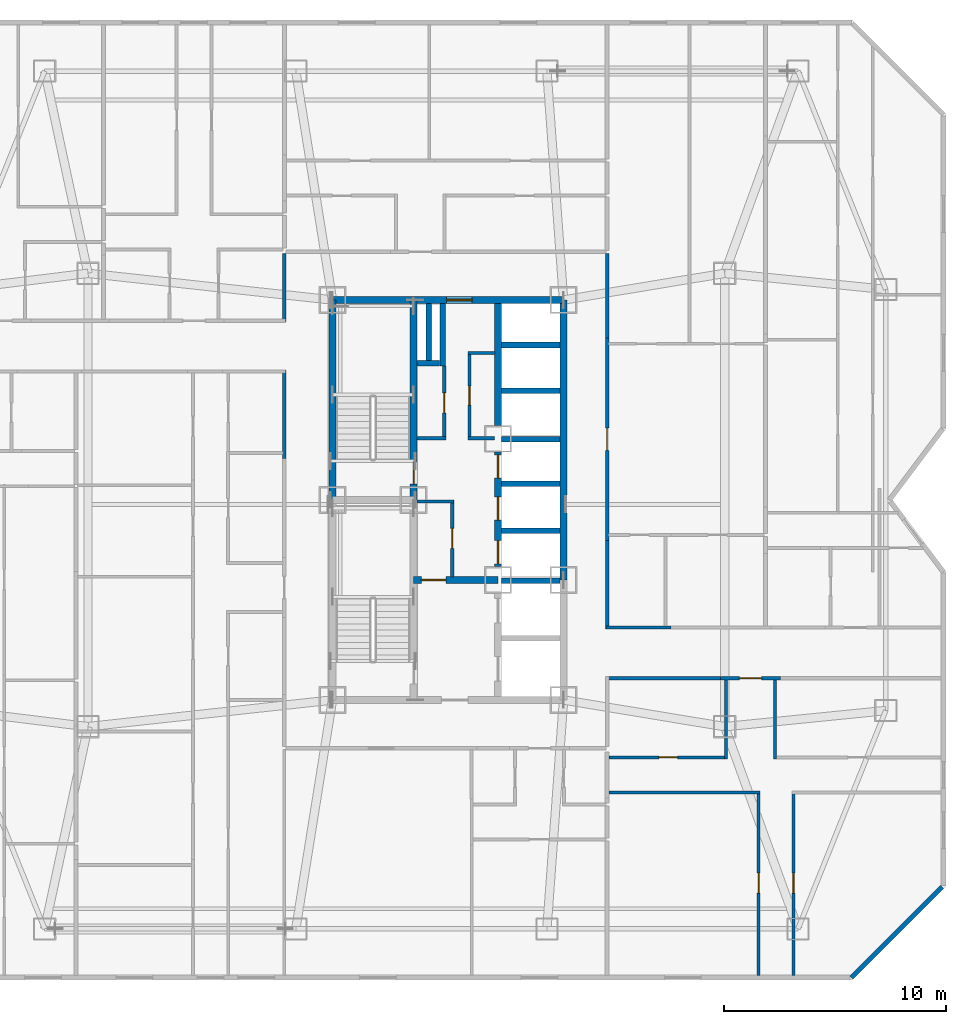
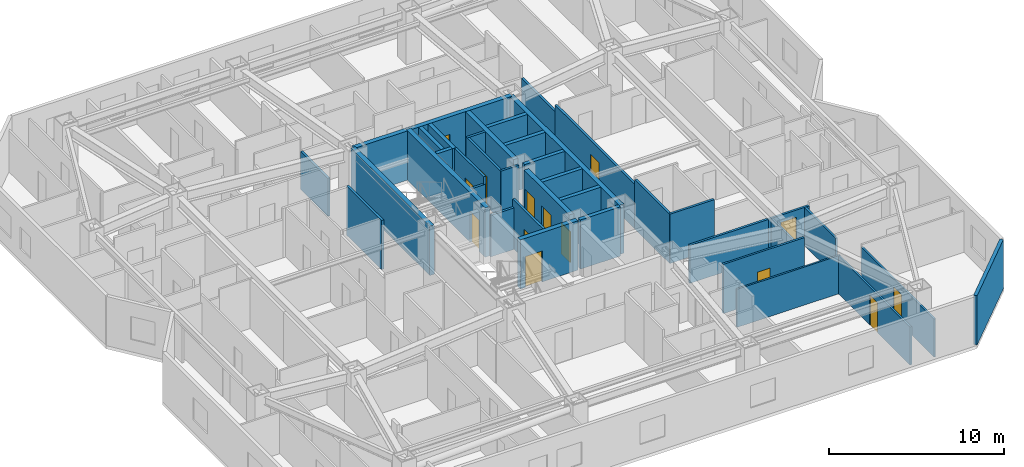
# One storey, part 8 of 12: 38 walls, 14 doors, 14 openings.
"""IFC4 building model written with IfcOpenShell, lengths in metres."""

from ifc_helpers import new_model, si_unit, direction, frame, frame_2d, origin, place, context, subcontext, project, spatial, rectangle, extrude, material, layer, layer_set, type_object, element, fill, save


model = new_model("IFC4")

# Units and contexts
model_context = context("Model", 3, precision=1e-05, world=origin(), true_north=direction((0.0, 1.0)))
body_context = subcontext(model_context, "Body", "Model", "MODEL_VIEW")
ifc_project = project(units=[si_unit("LENGTHUNIT", "METRE"), si_unit("AREAUNIT", "SQUARE_METRE"), si_unit("VOLUMEUNIT", "CUBIC_METRE"), si_unit("PLANEANGLEUNIT", "RADIAN"), si_unit("MASSUNIT", "GRAM", prefix="KILO")], contexts=[model_context])

# Site, building, storey
site_placement = place(None, origin())
site = spatial("IfcSite", under=ifc_project, at=site_placement, CompositionType="ELEMENT")
building_placement = place(site_placement, origin())
building = spatial("IfcBuilding", under=site, at=building_placement, Name="Khamvora Tower", CompositionType="ELEMENT")
storey_placement = place(building_placement, frame((0.0, 0.0, 127.449951171875)))
storey = spatial("IfcBuildingStorey", under=building, at=storey_placement, Name="L32", CompositionType="ELEMENT", Elevation=127.449951171875)

# Wall
ifc_material_1 = material(Name="Concrete C50/60", Category="concrete")
ifc_layer_1 = layer(ifc_material_1, 0.300048828125)
ifc_layer_set_1 = layer_set([ifc_layer_1], Name="Concrete C50/60")
wall_type_1 = type_object("IfcWallType", Name="WAL-CORE-300", PredefinedType="SHEAR", material=ifc_layer_set_1)
wall_1_placement = place(storey_placement, frame((29.0, 28.0, 0.0), z_axis=(0.0, 0.0, 1.0), x_axis=(0.0, 1.0, 0.0)))
element("IfcWall", 1, at=wall_1_placement, inside=storey, type_object=wall_type_1, Name="L32 central core west north wall", PredefinedType="SHEAR", context=body_context, shape_type="SweptSolid", body=[
    extrude(rectangle(XDim=9.0, YDim=0.300048828125, at=frame_2d((4.5, 0.0))), origin(), (0.0, 0.0, 1.0), 3.429931640625),
])

# Wall, opening, door
wall_2_placement = place(storey_placement, frame((29.0, 37.0, 0.0), z_axis=(0.0, 0.0, 1.0), x_axis=(1.0, 0.0, 0.0)))
wall_2 = element("IfcWall", 2, at=wall_2_placement, inside=storey, type_object=wall_type_1, Name="L32 central core north wall", PredefinedType="SHEAR", context=body_context, shape_type="SweptSolid", body=[
    extrude(rectangle(XDim=10.39990234375, YDim=0.300048828125, at=frame_2d((5.199951171875, 0.0))), origin(), (0.0, 0.0, 1.0), 3.429931640625),
])
opening_1_placement = place(wall_2_placement, frame((5.139892578125, 0.0, 0.0)))
opening_1 = element("IfcOpeningElement", 3, at=opening_1_placement, cuts=wall_2, Name="Opening D-SC1", PredefinedType="OPENING", context=body_context, shape_type="SweptSolid", body=[
    extrude(rectangle(XDim=1.14990234375, YDim=2.199951171875, at=frame_2d((0.574951171875, 1.10009765625))), frame((0.0, 0.159912109375, 0.0), z_axis=(0.0, -1.0, 0.0), x_axis=(1.0, 0.0, 0.0)), (0.0, 0.0, 1.0), 0.320068359375),
])
ifc_material_2 = material(Name="Powder-Coated Steel and Hardwood Leaf", Category="steel")
door_type_1 = type_object("IfcDoorType", Name="DOR-SCHL-1150", OperationType="NOTDEFINED", PredefinedType="DOOR", material=ifc_material_2)
door_1_placement = place(opening_1_placement, origin())
door_1 = element("IfcDoor", 4, at=door_1_placement, inside=storey, type_object=door_type_1, Name="L32 north core lobby to corridor fire door", OperationType="SINGLE_SWING_LEFT", OverallHeight=2.199951171875, OverallWidth=1.14990234375, PredefinedType="DOOR", context=body_context, shape_type="SweptSolid", body=[
    extrude(rectangle(XDim=1.14990234375, YDim=2.199951171875, at=frame_2d((0.574951171875, 1.10009765625))), frame((0.0, 0.02490234375, 0.0), z_axis=(0.0, -1.0, 0.0), x_axis=(1.0, 0.0, 0.0)), (0.0, 0.0, 1.0), 0.050048828125),
])
fill(opening_1, door_1)

# Wall
wall_3_placement = place(storey_placement, frame((39.39990234375, 24.39990234375, 0.0), z_axis=(0.0, 0.0, 1.0), x_axis=(0.0, 1.0, 0.0)))
element("IfcWall", 5, at=wall_3_placement, inside=storey, type_object=wall_type_1, Name="L32 central core east north wall", PredefinedType="SHEAR", context=body_context, shape_type="SweptSolid", body=[
    extrude(rectangle(XDim=12.60009765625, YDim=0.300048828125, at=frame_2d((6.300048828125, 0.0))), origin(), (0.0, 0.0, 1.0), 3.429931640625),
])

# Wall, opening, door
wall_4_placement = place(storey_placement, frame((32.64990234375, 28.0, 0.0), z_axis=(0.0, 0.0, 1.0), x_axis=(0.0, 1.0, 0.0)))
wall_4 = element("IfcWall", 6, at=wall_4_placement, inside=storey, type_object=wall_type_1, Name="L32 central core stair north spine wall", PredefinedType="SHEAR", context=body_context, shape_type="SweptSolid", body=[
    extrude(rectangle(XDim=9.0, YDim=0.300048828125, at=frame_2d((4.5, 0.0))), origin(), (0.0, 0.0, 1.0), 3.429931640625),
])
opening_2_placement = place(wall_4_placement, frame((0.719970703125, 0.0, 0.0)))
opening_2 = element("IfcOpeningElement", 7, at=opening_2_placement, cuts=wall_4, Name="Opening D-ST1", PredefinedType="OPENING", context=body_context, shape_type="SweptSolid", body=[
    extrude(rectangle(XDim=1.0, YDim=2.14990234375, at=frame_2d((0.5, 1.074951171875))), frame((0.0, 0.159912109375, 0.0), z_axis=(0.0, -1.0, 0.0), x_axis=(1.0, 0.0, 0.0)), (0.0, 0.0, 1.0), 0.320068359375),
])
door_type_2 = type_object("IfcDoorType", Name="DOR-STAIR-1000", OperationType="NOTDEFINED", PredefinedType="DOOR", material=ifc_material_2)
door_2_placement = place(opening_2_placement, origin())
door_2 = element("IfcDoor", 8, at=door_2_placement, inside=storey, type_object=door_type_2, Name="L32 exit stair ST-02 fire door", OperationType="SINGLE_SWING_RIGHT", OverallHeight=2.14990234375, OverallWidth=1.0, PredefinedType="DOOR", context=body_context, shape_type="SweptSolid", body=[
    extrude(rectangle(XDim=1.0, YDim=2.14990234375, at=frame_2d((0.5, 1.074951171875))), frame((0.0, 0.02490234375, 0.0), z_axis=(0.0, -1.0, 0.0), x_axis=(1.0, 0.0, 0.0)), (0.0, 0.0, 1.0), 0.050048828125),
])
fill(opening_2, door_2)

wall_5_placement = place(storey_placement, frame((32.64990234375, 24.39990234375, 0.0), z_axis=(0.0, 0.0, 1.0), x_axis=(1.0, 0.0, 0.0)))
wall_5 = element("IfcWall", 9, at=wall_5_placement, inside=storey, type_object=wall_type_1, Name="L32 central core firefighting lobby north wall", PredefinedType="SHEAR", context=body_context, shape_type="SweptSolid", body=[
    extrude(rectangle(XDim=3.800048828125, YDim=0.300048828125, at=frame_2d((1.89990234375, 0.0))), origin(), (0.0, 0.0, 1.0), 3.429931640625),
])
opening_3_placement = place(wall_5_placement, frame((0.35009765625, 0.0, 0.0)))
opening_3 = element("IfcOpeningElement", 10, at=opening_3_placement, cuts=wall_5, Name="Opening D-FF1", PredefinedType="OPENING", context=body_context, shape_type="SweptSolid", body=[
    extrude(rectangle(XDim=1.10009765625, YDim=2.14990234375, at=frame_2d((0.550048828125, 1.074951171875))), frame((0.0, 0.159912109375, 0.0), z_axis=(0.0, -1.0, 0.0), x_axis=(1.0, 0.0, 0.0)), (0.0, 0.0, 1.0), 0.320068359375),
])
door_type_3 = type_object("IfcDoorType", Name="DOR-FFLOB-1100", OperationType="NOTDEFINED", PredefinedType="DOOR", material=ifc_material_2)
door_3_placement = place(opening_3_placement, origin())
door_3 = element("IfcDoor", 11, at=door_3_placement, inside=storey, type_object=door_type_3, Name="L32 firefighting lobby smoke-seal fire door", OperationType="SINGLE_SWING_LEFT", OverallHeight=2.14990234375, OverallWidth=1.10009765625, PredefinedType="DOOR", context=body_context, shape_type="SweptSolid", body=[
    extrude(rectangle(XDim=1.10009765625, YDim=2.14990234375, at=frame_2d((0.550048828125, 1.074951171875))), frame((0.0, 0.02490234375, 0.0), z_axis=(0.0, -1.0, 0.0), x_axis=(1.0, 0.0, 0.0)), (0.0, 0.0, 1.0), 0.050048828125),
])
fill(opening_3, door_3)

# Wall, openings, doors
wall_6_placement = place(storey_placement, frame((36.449951171875, 25.0, 0.0), z_axis=(0.0, 0.0, 1.0), x_axis=(0.0, 1.0, 0.0)))
wall_6 = element("IfcWall", 12, at=wall_6_placement, inside=storey, type_object=wall_type_1, Name="L32 central core lift bank central wall", PredefinedType="SHEAR", context=body_context, shape_type="SweptSolid", body=[
    extrude(rectangle(XDim=5.14990234375, YDim=0.300048828125, at=frame_2d((2.574951171875, 0.0))), origin(), (0.0, 0.0, 1.0), 3.429931640625),
])
opening_4_placement = place(wall_6_placement, frame((0.1201171875, 0.0, 0.0)))
opening_4 = element("IfcOpeningElement", 13, at=opening_4_placement, cuts=wall_6, Name="Opening LD-PL", PredefinedType="OPENING", context=body_context, shape_type="SweptSolid", body=[
    extrude(rectangle(XDim=1.050048828125, YDim=2.14990234375, at=frame_2d((0.52490234375, 1.074951171875))), frame((0.0, 0.159912109375, 0.0), z_axis=(0.0, -1.0, 0.0), x_axis=(1.0, 0.0, 0.0)), (0.0, 0.0, 1.0), 0.320068359375),
])
opening_5_placement = place(wall_6_placement, frame((2.094970703125, 0.0, 0.0)))
opening_5 = element("IfcOpeningElement", 14, at=opening_5_placement, cuts=wall_6, Name="Opening LD-PL", PredefinedType="OPENING", context=body_context, shape_type="SweptSolid", body=[
    extrude(rectangle(XDim=1.050048828125, YDim=2.14990234375, at=frame_2d((0.52490234375, 1.074951171875))), frame((0.0, 0.159912109375, 0.0), z_axis=(0.0, -1.0, 0.0), x_axis=(1.0, 0.0, 0.0)), (0.0, 0.0, 1.0), 0.320068359375),
])
opening_6_placement = place(wall_6_placement, frame((3.97998046875, 0.0, 0.0)))
opening_6 = element("IfcOpeningElement", 15, at=opening_6_placement, cuts=wall_6, Name="Opening LD-PL", PredefinedType="OPENING", context=body_context, shape_type="SweptSolid", body=[
    extrude(rectangle(XDim=1.050048828125, YDim=2.14990234375, at=frame_2d((0.52490234375, 1.074951171875))), frame((0.0, 0.159912109375, 0.0), z_axis=(0.0, -1.0, 0.0), x_axis=(1.0, 0.0, 0.0)), (0.0, 0.0, 1.0), 0.320068359375),
])
door_type_4 = type_object("IfcDoorType", Name="DOR-LIFT-1050", OperationType="SLIDING_TO_LEFT", PredefinedType="DOOR", material=ifc_material_2)
door_4_placement = place(opening_4_placement, origin())
door_4 = element("IfcDoor", 16, at=door_4_placement, inside=storey, type_object=door_type_4, Name="L32 lift landing sliding door PL-01", OperationType="SLIDING_TO_LEFT", OverallHeight=2.14990234375, OverallWidth=1.050048828125, PredefinedType="DOOR", context=body_context, shape_type="SweptSolid", body=[
    extrude(rectangle(XDim=1.050048828125, YDim=2.14990234375, at=frame_2d((0.52490234375, 1.074951171875))), frame((0.0, 0.02490234375, 0.0), z_axis=(0.0, -1.0, 0.0), x_axis=(1.0, 0.0, 0.0)), (0.0, 0.0, 1.0), 0.050048828125),
])
fill(opening_4, door_4)
door_5_placement = place(opening_5_placement, origin())
door_5 = element("IfcDoor", 17, at=door_5_placement, inside=storey, type_object=door_type_4, Name="L32 lift landing sliding door PL-02", OperationType="SLIDING_TO_LEFT", OverallHeight=2.14990234375, OverallWidth=1.050048828125, PredefinedType="DOOR", context=body_context, shape_type="SweptSolid", body=[
    extrude(rectangle(XDim=1.050048828125, YDim=2.14990234375, at=frame_2d((0.52490234375, 1.074951171875))), frame((0.0, 0.02490234375, 0.0), z_axis=(0.0, -1.0, 0.0), x_axis=(1.0, 0.0, 0.0)), (0.0, 0.0, 1.0), 0.050048828125),
])
fill(opening_5, door_5)
door_6_placement = place(opening_6_placement, origin())
door_6 = element("IfcDoor", 18, at=door_6_placement, inside=storey, type_object=door_type_4, Name="L32 lift landing sliding door PL-03", OperationType="SLIDING_TO_LEFT", OverallHeight=2.14990234375, OverallWidth=1.050048828125, PredefinedType="DOOR", context=body_context, shape_type="SweptSolid", body=[
    extrude(rectangle(XDim=1.050048828125, YDim=2.14990234375, at=frame_2d((0.52490234375, 1.074951171875))), frame((0.0, 0.02490234375, 0.0), z_axis=(0.0, -1.0, 0.0), x_axis=(1.0, 0.0, 0.0)), (0.0, 0.0, 1.0), 0.050048828125),
])
fill(opening_6, door_6)

# Walls
wall_7_placement = place(storey_placement, frame((36.449951171875, 31.35009765625, 0.0), z_axis=(0.0, 0.0, 1.0), x_axis=(0.0, 1.0, 0.0)))
element("IfcWall", 19, at=wall_7_placement, inside=storey, type_object=wall_type_1, Name="L32 central core lift bank north wall", PredefinedType="SHEAR", context=body_context, shape_type="SweptSolid", body=[
    extrude(rectangle(XDim=5.495849609375, YDim=0.300048828125, at=frame_2d((2.748046875, 0.0))), origin(), (0.0, 0.0, 1.0), 3.429931640625),
])
ifc_material_3 = material(Name="Fire-Rated Drywall and Steel Stud", Category="steel")
ifc_layer_2 = layer(ifc_material_3, 0.14990234375)
ifc_layer_set_2 = layer_set([ifc_layer_2], Name="Fire-Rated Drywall and Steel Stud")
wall_type_2 = type_object("IfcWallType", Name="WAL-CORR-150", PredefinedType="STANDARD", material=ifc_layer_set_2)
wall_8_placement = place(storey_placement, frame((36.305908203125, 34.614990234375, 0.0), z_axis=(0.0, 0.0, 1.0), x_axis=(-1.0, 0.0, 0.0)))
element("IfcWall", 20, at=wall_8_placement, inside=storey, type_object=wall_type_2, Name="L32 interior partition wall 001", PredefinedType="STANDARD", context=body_context, shape_type="SweptSolid", body=[
    extrude(rectangle(XDim=1.205810546875, YDim=0.14990234375, at=frame_2d((0.60302734375, 0.0))), origin(), (0.0, 0.0, 1.0), 3.429931640625),
])

# Wall, opening, door
wall_9_placement = place(storey_placement, frame((35.1650390625, 34.677978515625, 0.0), z_axis=(0.0, 0.0, 1.0), x_axis=(0.0, -1.0, 0.0)))
wall_9 = element("IfcWall", 21, at=wall_9_placement, inside=storey, type_object=wall_type_2, Name="L32 interior partition wall 002", PredefinedType="STANDARD", context=body_context, shape_type="SweptSolid", body=[
    extrude(rectangle(XDim=3.9580078125, YDim=0.14990234375, at=frame_2d((1.97900390625, 0.0))), origin(), (0.0, 0.0, 1.0), 3.429931640625),
])
opening_7_placement = place(wall_9_placement, frame((1.553955078125, 0.0, 0.0)))
opening_7 = element("IfcOpeningElement", 22, at=opening_7_placement, cuts=wall_9, Name="Opening D-WC1", PredefinedType="OPENING", context=body_context, shape_type="SweptSolid", body=[
    extrude(rectangle(XDim=0.85009765625, YDim=2.10009765625, at=frame_2d((0.425048828125, 1.050048828125))), frame((0.0, 0.0849609375, 0.0), z_axis=(0.0, -1.0, 0.0), x_axis=(1.0, 0.0, 0.0)), (0.0, 0.0, 1.0), 0.169921875),
])
door_type_5 = type_object("IfcDoorType", Name="DOR-WET-850", OperationType="NOTDEFINED", PredefinedType="DOOR", material=ifc_material_2)
door_7_placement = place(opening_7_placement, origin())
door_7 = element("IfcDoor", 23, at=door_7_placement, inside=storey, type_object=door_type_5, Name="L32 interior door PLL-CS1", OperationType="SINGLE_SWING_RIGHT", OverallHeight=2.10009765625, OverallWidth=0.85009765625, PredefinedType="DOOR", context=body_context, shape_type="SweptSolid", body=[
    extrude(rectangle(XDim=0.85009765625, YDim=2.10009765625, at=frame_2d((0.425048828125, 1.050048828125))), frame((0.0, 0.02490234375, 0.0), z_axis=(0.0, -1.0, 0.0), x_axis=(1.0, 0.0, 0.0)), (0.0, 0.0, 1.0), 0.050048828125),
])
fill(opening_7, door_7)

# Walls
wall_10_placement = place(storey_placement, frame((35.10205078125, 30.784912109375, 0.0), z_axis=(0.0, 0.0, 1.0), x_axis=(1.0, 0.0, 0.0)))
element("IfcWall", 24, at=wall_10_placement, inside=storey, type_object=wall_type_2, Name="L32 interior partition wall 003", PredefinedType="STANDARD", context=body_context, shape_type="SweptSolid", body=[
    extrude(rectangle(XDim=1.197998046875, YDim=0.14990234375, at=frame_2d((0.59912109375, 0.0))), origin(), (0.0, 0.0, 1.0), 3.429931640625),
])
wall_11_placement = place(storey_placement, frame((32.7939453125, 30.784912109375, 0.0), z_axis=(0.0, 0.0, 1.0), x_axis=(1.0, 0.0, 0.0)))
element("IfcWall", 25, at=wall_11_placement, inside=storey, type_object=wall_type_2, Name="L32 interior partition wall 004", PredefinedType="STANDARD", context=body_context, shape_type="SweptSolid", body=[
    extrude(rectangle(XDim=1.30615234375, YDim=0.14990234375, at=frame_2d((0.653076171875, 0.0))), origin(), (0.0, 0.0, 1.0), 2.886962890625),
])

# Wall, opening, door
wall_12_placement = place(storey_placement, frame((34.034912109375, 30.719970703125, 0.0), z_axis=(0.0, 0.0, 1.0), x_axis=(0.0, 1.0, 0.0)))
wall_12 = element("IfcWall", 26, at=wall_12_placement, inside=storey, type_object=wall_type_2, Name="L32 interior partition wall 005", PredefinedType="STANDARD", context=body_context, shape_type="SweptSolid", body=[
    extrude(rectangle(XDim=3.300048828125, YDim=0.14990234375, at=frame_2d((1.64990234375, 0.0))), origin(), (0.0, 0.0, 1.0), 3.429931640625),
])
opening_8_placement = place(wall_12_placement, frame((1.199951171875, 0.0, 0.0)))
opening_8 = element("IfcOpeningElement", 27, at=opening_8_placement, cuts=wall_12, Name="Opening D-RM1", PredefinedType="OPENING", context=body_context, shape_type="SweptSolid", body=[
    extrude(rectangle(XDim=0.89990234375, YDim=2.10009765625, at=frame_2d((0.449951171875, 1.050048828125))), frame((0.0, 0.0849609375, 0.0), z_axis=(0.0, -1.0, 0.0), x_axis=(1.0, 0.0, 0.0)), (0.0, 0.0, 1.0), 0.169921875),
])
door_type_6 = type_object("IfcDoorType", Name="DOR-ROOM-900", OperationType="NOTDEFINED", PredefinedType="DOOR", material=ifc_material_2)
door_8_placement = place(opening_8_placement, origin())
door_8 = element("IfcDoor", 28, at=door_8_placement, inside=storey, type_object=door_type_6, Name="L32 interior door PLL-CS2", OperationType="SINGLE_SWING_LEFT", OverallHeight=2.10009765625, OverallWidth=0.89990234375, PredefinedType="DOOR", context=body_context, shape_type="SweptSolid", body=[
    extrude(rectangle(XDim=0.89990234375, YDim=2.10009765625, at=frame_2d((0.449951171875, 1.050048828125))), frame((0.0, 0.02490234375, 0.0), z_axis=(0.0, -1.0, 0.0), x_axis=(1.0, 0.0, 0.0)), (0.0, 0.0, 1.0), 0.050048828125),
])
fill(opening_8, door_8)

wall_13_placement = place(storey_placement, frame((34.385009765625, 24.5439453125, 0.0), z_axis=(0.0, 0.0, 1.0), x_axis=(0.0, 1.0, 0.0)))
wall_13 = element("IfcWall", 29, at=wall_13_placement, inside=storey, type_object=wall_type_2, Name="L32 interior partition wall 006", PredefinedType="STANDARD", context=body_context, shape_type="SweptSolid", body=[
    extrude(rectangle(XDim=3.4560546875, YDim=0.14990234375, at=frame_2d((1.72802734375, 0.0))), origin(), (0.0, 0.0, 1.0), 3.429931640625),
])
opening_9_placement = place(wall_13_placement, frame((1.278076171875, 0.0, 0.0)))
opening_9 = element("IfcOpeningElement", 30, at=opening_9_placement, cuts=wall_13, Name="Opening D-RM1", PredefinedType="OPENING", context=body_context, shape_type="SweptSolid", body=[
    extrude(rectangle(XDim=0.89990234375, YDim=2.10009765625, at=frame_2d((0.449951171875, 1.050048828125))), frame((0.0, 0.0849609375, 0.0), z_axis=(0.0, -1.0, 0.0), x_axis=(1.0, 0.0, 0.0)), (0.0, 0.0, 1.0), 0.169921875),
])
door_9_placement = place(opening_9_placement, origin())
door_9 = element("IfcDoor", 31, at=door_9_placement, inside=storey, type_object=door_type_6, Name="L32 interior door PLL-CS3", OperationType="SINGLE_SWING_RIGHT", OverallHeight=2.10009765625, OverallWidth=0.89990234375, PredefinedType="DOOR", context=body_context, shape_type="SweptSolid", body=[
    extrude(rectangle(XDim=0.89990234375, YDim=2.10009765625, at=frame_2d((0.449951171875, 1.050048828125))), frame((0.0, 0.02490234375, 0.0), z_axis=(0.0, -1.0, 0.0), x_axis=(1.0, 0.0, 0.0)), (0.0, 0.0, 1.0), 0.050048828125),
])
fill(opening_9, door_9)

# Walls
wall_14_placement = place(storey_placement, frame((34.449951171875, 27.93505859375, 0.0), z_axis=(0.0, 0.0, 1.0), x_axis=(-1.0, 0.0, 0.0)))
element("IfcWall", 32, at=wall_14_placement, inside=storey, type_object=wall_type_2, Name="L32 interior partition wall 007", PredefinedType="STANDARD", context=body_context, shape_type="SweptSolid", body=[
    extrude(rectangle(XDim=1.656005859375, YDim=0.14990234375, at=frame_2d((0.828125, 0.0))), origin(), (0.0, 0.0, 1.0), 2.886962890625),
])
wall_15_placement = place(storey_placement, frame((26.8349609375, 29.875, 0.0), z_axis=(0.0, 0.0, 1.0), x_axis=(0.0, 1.0, 0.0)))
element("IfcWall", 33, at=wall_15_placement, inside=storey, type_object=wall_type_2, Name="L32 interior partition wall 013", PredefinedType="STANDARD", context=body_context, shape_type="SweptSolid", body=[
    extrude(rectangle(XDim=3.97509765625, YDim=0.14990234375, at=frame_2d((1.987548828125, 0.0))), origin(), (0.0, 0.0, 1.0), 3.429931640625),
])
wall_16_placement = place(storey_placement, frame((26.8349609375, 36.0, 0.0), z_axis=(0.0, 0.0, 1.0), x_axis=(0.0, 1.0, 0.0)))
element("IfcWall", 34, at=wall_16_placement, inside=storey, type_object=wall_type_2, Name="L32 interior partition wall 025", PredefinedType="STANDARD", context=body_context, shape_type="SweptSolid", body=[
    extrude(rectangle(XDim=3.10009765625, YDim=0.14990234375, at=frame_2d((1.550048828125, 0.0))), origin(), (0.0, 0.0, 1.0), 2.64697265625),
])

# Wall, opening, door
wall_17_placement = place(storey_placement, frame((49.158935546875, 19.985107421875, 0.0), z_axis=(0.0, 0.0, 1.0), x_axis=(-1.0, 0.0, 0.0)))
wall_17 = element("IfcWall", 35, at=wall_17_placement, inside=storey, type_object=wall_type_2, Name="L32 interior partition wall 033", PredefinedType="STANDARD", context=body_context, shape_type="SweptSolid", body=[
    extrude(rectangle(XDim=2.697998046875, YDim=0.14990234375, at=frame_2d((1.34912109375, 0.0))), origin(), (0.0, 0.0, 1.0), 2.64697265625),
])
opening_10_placement = place(wall_17_placement, frame((0.84912109375, 0.0, 0.0)))
opening_10 = element("IfcOpeningElement", 36, at=opening_10_placement, cuts=wall_17, Name="Opening D-U1", PredefinedType="OPENING", context=body_context, shape_type="SweptSolid", body=[
    extrude(rectangle(XDim=1.0, YDim=2.14990234375, at=frame_2d((0.5, 1.074951171875))), frame((0.0, 0.0849609375, 0.0), z_axis=(0.0, -1.0, 0.0), x_axis=(1.0, 0.0, 0.0)), (0.0, 0.0, 1.0), 0.169921875),
])
door_type_7 = type_object("IfcDoorType", Name="DOR-UNIT-1000", OperationType="NOTDEFINED", PredefinedType="DOOR", material=ifc_material_2)
door_10_placement = place(opening_10_placement, origin())
door_10 = element("IfcDoor", 37, at=door_10_placement, inside=storey, type_object=door_type_7, Name="L32 interior door COR-32EAH", OperationType="SINGLE_SWING_RIGHT", OverallHeight=2.14990234375, OverallWidth=1.0, PredefinedType="DOOR", context=body_context, shape_type="SweptSolid", body=[
    extrude(rectangle(XDim=1.0, YDim=2.14990234375, at=frame_2d((0.5, 1.074951171875))), frame((0.0, 0.02490234375, 0.0), z_axis=(0.0, -1.0, 0.0), x_axis=(1.0, 0.0, 0.0)), (0.0, 0.0, 1.0), 0.050048828125),
])
fill(opening_10, door_10)

# Wall
wall_18_placement = place(storey_placement, frame((46.4609375, 19.985107421875, 0.0), z_axis=(0.0, 0.0, 1.0), x_axis=(-1.0, 0.0, 0.0)))
element("IfcWall", 38, at=wall_18_placement, inside=storey, type_object=wall_type_2, Name="L32 interior partition wall 034", PredefinedType="STANDARD", context=body_context, shape_type="SweptSolid", body=[
    extrude(rectangle(XDim=5.160888671875, YDim=0.14990234375, at=frame_2d((2.58056640625, 0.0))), origin(), (0.0, 0.0, 1.0), 2.64697265625),
])

# Wall, opening, door
wall_19_placement = place(storey_placement, frame((41.364990234375, 35.279052734375, 0.0), z_axis=(0.0, 0.0, 1.0), x_axis=(0.0, -1.0, 0.0)))
wall_19 = element("IfcWall", 39, at=wall_19_placement, inside=storey, type_object=wall_type_2, Name="L32 interior partition wall 037", PredefinedType="STANDARD", context=body_context, shape_type="SweptSolid", body=[
    extrude(rectangle(XDim=9.09814453125, YDim=0.14990234375, at=frame_2d((4.549072265625, 0.0))), origin(), (0.0, 0.0, 1.0), 3.10693359375),
])
opening_11_placement = place(wall_19_placement, frame((4.049072265625, 0.0, 0.0)))
opening_11 = element("IfcOpeningElement", 40, at=opening_11_placement, cuts=wall_19, Name="Opening D-U1", PredefinedType="OPENING", context=body_context, shape_type="SweptSolid", body=[
    extrude(rectangle(XDim=1.0, YDim=2.14990234375, at=frame_2d((0.5, 1.074951171875))), frame((0.0, 0.0849609375, 0.0), z_axis=(0.0, -1.0, 0.0), x_axis=(1.0, 0.0, 0.0)), (0.0, 0.0, 1.0), 0.169921875),
])
door_11_placement = place(opening_11_placement, origin())
door_11 = element("IfcDoor", 41, at=door_11_placement, inside=storey, type_object=door_type_7, Name="L32 interior door COR-32EBH", OperationType="SINGLE_SWING_LEFT", OverallHeight=2.14990234375, OverallWidth=1.0, PredefinedType="DOOR", context=body_context, shape_type="SweptSolid", body=[
    extrude(rectangle(XDim=1.0, YDim=2.14990234375, at=frame_2d((0.5, 1.074951171875))), frame((0.0, 0.02490234375, 0.0), z_axis=(0.0, -1.0, 0.0), x_axis=(1.0, 0.0, 0.0)), (0.0, 0.0, 1.0), 0.050048828125),
])
fill(opening_11, door_11)

# Walls
wall_20_placement = place(storey_placement, frame((41.364990234375, 26.180908203125, 0.0), z_axis=(0.0, 0.0, 1.0), x_axis=(0.0, -1.0, 0.0)))
element("IfcWall", 42, at=wall_20_placement, inside=storey, type_object=wall_type_2, Name="L32 interior partition wall 038", PredefinedType="STANDARD", context=body_context, shape_type="SweptSolid", body=[
    extrude(rectangle(XDim=3.98095703125, YDim=0.14990234375, at=frame_2d((1.990478515625, 0.0))), origin(), (0.0, 0.0, 1.0), 3.429931640625),
])
wall_21_placement = place(storey_placement, frame((41.300048828125, 22.264892578125, 0.0), z_axis=(0.0, 0.0, 1.0), x_axis=(1.0, 0.0, 0.0)))
element("IfcWall", 43, at=wall_21_placement, inside=storey, type_object=wall_type_2, Name="L32 interior partition wall 039", PredefinedType="STANDARD", context=body_context, shape_type="SweptSolid", body=[
    extrude(rectangle(XDim=2.928955078125, YDim=0.14990234375, at=frame_2d((1.46435546875, 0.0))), origin(), (0.0, 0.0, 1.0), 3.429931640625),
])
wall_22_placement = place(storey_placement, frame((41.364990234375, 39.10009765625, 0.0), z_axis=(0.0, 0.0, 1.0), x_axis=(0.0, -1.0, 0.0)))
element("IfcWall", 44, at=wall_22_placement, inside=storey, type_object=wall_type_2, Name="L32 interior partition wall 041", PredefinedType="STANDARD", context=body_context, shape_type="SweptSolid", body=[
    extrude(rectangle(XDim=3.821044921875, YDim=0.14990234375, at=frame_2d((1.91064453125, 0.0))), origin(), (0.0, 0.0, 1.0), 2.64697265625),
])
ifc_material_4 = material(Name="Precast concrete C40/50", Category="concrete")
ifc_layer_3 = layer(ifc_material_4, 0.219970703125)
ifc_layer_set_3 = layer_set([ifc_layer_3], Name="Precast concrete C40/50")
wall_type_3 = type_object("IfcWallType", Name="WAL-EXT-220", PredefinedType="STANDARD", material=ifc_layer_set_3)
wall_23_placement = place(storey_placement, frame((56.43994140625, 10.595947265625, 0.0), z_axis=(0.0, 0.0, 1.0), x_axis=(-0.707106781187, -0.707106781187, 0.0)))
element("IfcWall", 45, at=wall_23_placement, inside=storey, type_object=wall_type_3, Name="L32 exterior facade wall 13.1", PredefinedType="STANDARD", context=body_context, shape_type="SweptSolid", body=[
    extrude(rectangle(XDim=5.7783203125, YDim=0.219970703125, at=frame_2d((2.88916015625, 0.0))), origin(), (0.0, 0.0, 1.0), 3.429931640625),
])

# Wall, opening, door
ifc_material_5 = material(Name="Gypsum Plasterboard Partition", Category="gypsum")
ifc_layer_4 = layer(ifc_material_5, 0.1201171875)
ifc_layer_set_4 = layer_set([ifc_layer_4], Name="Gypsum Plasterboard Partition")
wall_type_4 = type_object("IfcWallType", Name="WAL-PART-120", PredefinedType="PARTITIONING", material=ifc_layer_set_4)
wall_24_placement = place(storey_placement, frame((48.175048828125, 6.612060546875, 0.0), z_axis=(0.0, 0.0, 1.0), x_axis=(0.0, 1.0, 0.0)))
wall_24 = element("IfcWall", 46, at=wall_24_placement, inside=storey, type_object=wall_type_4, Name="L32 interior partition wall 135", PredefinedType="PARTITIONING", context=body_context, shape_type="SweptSolid", body=[
    extrude(rectangle(XDim=8.2939453125, YDim=0.1201171875, at=frame_2d((4.14697265625, 0.0))), origin(), (0.0, 0.0, 1.0), 2.64697265625),
])
opening_12_placement = place(wall_24_placement, frame((3.697021484375, 0.0, 0.0)))
opening_12 = element("IfcOpeningElement", 47, at=opening_12_placement, cuts=wall_24, Name="Opening D-RM1", PredefinedType="OPENING", context=body_context, shape_type="SweptSolid", body=[
    extrude(rectangle(XDim=0.89990234375, YDim=2.10009765625, at=frame_2d((0.449951171875, 1.050048828125))), frame((0.0, 0.070068359375, 0.0), z_axis=(0.0, -1.0, 0.0), x_axis=(1.0, 0.0, 0.0)), (0.0, 0.0, 1.0), 0.14013671875),
])
door_12_placement = place(opening_12_placement, origin())
door_12 = element("IfcDoor", 48, at=door_12_placement, inside=storey, type_object=door_type_6, Name="L32 interior door 32EAH-32EAR1", OperationType="SINGLE_SWING_LEFT", OverallHeight=2.10009765625, OverallWidth=0.89990234375, PredefinedType="DOOR", context=body_context, shape_type="SweptSolid", body=[
    extrude(rectangle(XDim=0.89990234375, YDim=2.10009765625, at=frame_2d((0.449951171875, 1.050048828125))), frame((0.0, 0.02490234375, 0.0), z_axis=(0.0, -1.0, 0.0), x_axis=(1.0, 0.0, 0.0)), (0.0, 0.0, 1.0), 0.050048828125),
])
fill(opening_12, door_12)

# Wall
wall_25_placement = place(storey_placement, frame((48.239990234375, 14.841064453125, 0.0), z_axis=(0.0, 0.0, 1.0), x_axis=(-1.0, 0.0, 0.0)))
element("IfcWall", 49, at=wall_25_placement, inside=storey, type_object=wall_type_4, Name="L32 interior partition wall 136", PredefinedType="PARTITIONING", context=body_context, shape_type="SweptSolid", body=[
    extrude(rectangle(XDim=6.79296875, YDim=0.1201171875, at=frame_2d((3.396484375, 0.0))), origin(), (0.0, 0.0, 1.0), 2.64697265625),
])

# Wall, opening, door
wall_26_placement = place(storey_placement, frame((49.7451171875, 14.906005859375, 0.0), z_axis=(0.0, 0.0, 1.0), x_axis=(0.0, -1.0, 0.0)))
wall_26 = element("IfcWall", 50, at=wall_26_placement, inside=storey, type_object=wall_type_4, Name="L32 interior partition wall 138", PredefinedType="PARTITIONING", context=body_context, shape_type="SweptSolid", body=[
    extrude(rectangle(XDim=8.2939453125, YDim=0.1201171875, at=frame_2d((4.14697265625, 0.0))), origin(), (0.0, 0.0, 1.0), 2.64697265625),
])
opening_13_placement = place(wall_26_placement, frame((3.697021484375, 0.0, 0.0)))
opening_13 = element("IfcOpeningElement", 51, at=opening_13_placement, cuts=wall_26, Name="Opening D-RM1", PredefinedType="OPENING", context=body_context, shape_type="SweptSolid", body=[
    extrude(rectangle(XDim=0.89990234375, YDim=2.10009765625, at=frame_2d((0.449951171875, 1.050048828125))), frame((0.0, 0.070068359375, 0.0), z_axis=(0.0, -1.0, 0.0), x_axis=(1.0, 0.0, 0.0)), (0.0, 0.0, 1.0), 0.14013671875),
])
door_13_placement = place(opening_13_placement, origin())
door_13 = element("IfcDoor", 52, at=door_13_placement, inside=storey, type_object=door_type_6, Name="L32 interior door 32EAH-32EAR2", OperationType="SINGLE_SWING_RIGHT", OverallHeight=2.10009765625, OverallWidth=0.89990234375, PredefinedType="DOOR", context=body_context, shape_type="SweptSolid", body=[
    extrude(rectangle(XDim=0.89990234375, YDim=2.10009765625, at=frame_2d((0.449951171875, 1.050048828125))), frame((0.0, 0.02490234375, 0.0), z_axis=(0.0, -1.0, 0.0), x_axis=(1.0, 0.0, 0.0)), (0.0, 0.0, 1.0), 0.050048828125),
])
fill(opening_13, door_13)

# Walls
ifc_material_6 = material(Name="Concrete C40/50", Category="concrete")
ifc_layer_5 = layer(ifc_material_6, 0.25)
ifc_layer_set_5 = layer_set([ifc_layer_5], Name="Concrete C40/50")
wall_type_5 = type_object("IfcWallType", Name="WAL-PODS-250", PredefinedType="SHEAR", material=ifc_layer_set_5)
for number, where, z_axis, x_axis, name in (
    (53, (36.60400390625, 24.375, 0.0), (0.0, 0.0, 1.0), (1.0, 0.0, 0.0), "L32 lift shaft divider wall FFL-02"),
    (54, (36.60400390625, 26.625, 0.0), (0.0, 0.0, 1.0), (1.0, 0.0, 0.0), "L32 lift shaft divider wall PL-01"),
    (55, (36.60400390625, 28.72509765625, 0.0), (0.0, 0.0, 1.0), (1.0, 0.0, 0.0), "L32 lift shaft divider wall PL-02"),
    (56, (36.60400390625, 30.72509765625, 0.0), (0.0, 0.0, 1.0), (1.0, 0.0, 0.0), "L32 lift shaft divider wall PL-03"),
    (57, (36.60400390625, 32.925048828125, 0.0), (0.0, 0.0, 1.0), (1.0, 0.0, 0.0), "L32 lift shaft divider wall PH-01"),
    (58, (36.60400390625, 34.97509765625, 0.0), (0.0, 0.0, 1.0), (1.0, 0.0, 0.0), "L32 lift shaft divider wall PH-02"),
):
    element("IfcWall", number, at=place(storey_placement, frame(where, z_axis=z_axis, x_axis=x_axis)), inside=storey, type_object=wall_type_5, Name=name, PredefinedType="SHEAR", context=body_context, shape_type="SweptSolid", body=[
        extrude(rectangle(XDim=2.64208984375, YDim=0.25, at=frame_2d((1.321044921875, 0.0))), origin(), (0.0, 0.0, 1.0), 3.429931640625),
    ])
wall_27_placement = place(storey_placement, frame((33.955078125, 34.02490234375, 0.0), z_axis=(0.0, 0.0, 1.0), x_axis=(0.0, 1.0, 0.0)))
element("IfcWall", 59, at=wall_27_placement, inside=storey, type_object=wall_type_5, Name="L32 vertical MEP riser shaft east enclosure wall", PredefinedType="SHEAR", context=body_context, shape_type="SweptSolid", body=[
    extrude(rectangle(XDim=2.821044921875, YDim=0.25, at=frame_2d((1.41064453125, 0.0))), origin(), (0.0, 0.0, 1.0), 3.429931640625),
])
wall_28_placement = place(storey_placement, frame((32.803955078125, 34.14990234375, 0.0), z_axis=(0.0, 0.0, 1.0), x_axis=(1.0, 0.0, 0.0)))
element("IfcWall", 60, at=wall_28_placement, inside=storey, type_object=wall_type_5, Name="L32 vertical MEP riser shaft south enclosure wall", PredefinedType="SHEAR", context=body_context, shape_type="SweptSolid", body=[
    extrude(rectangle(XDim=1.02197265625, YDim=0.25, at=frame_2d((0.510986328125, 0.0))), origin(), (0.0, 0.0, 1.0), 3.429931640625),
])
wall_29_placement = place(storey_placement, frame((33.340087890625, 34.279052734375, 0.0), z_axis=(0.0, 0.0, 1.0), x_axis=(0.0, 1.0, 0.0)))
element("IfcWall", 61, at=wall_29_placement, inside=storey, type_object=wall_type_5, Name="L32 vertical MEP riser shaft divider enclosure wall", PredefinedType="SHEAR", context=body_context, shape_type="SweptSolid", body=[
    extrude(rectangle(XDim=2.56689453125, YDim=0.25, at=frame_2d((1.283447265625, 0.0))), origin(), (0.0, 0.0, 1.0), 3.429931640625),
])

# Wall, opening, door
ifc_material_7 = material(Name="Moisture-Resistant Plasterboard Partition", Category="gypsum")
ifc_layer_6 = layer(ifc_material_7, 0.135009765625)
ifc_layer_set_6 = layer_set([ifc_layer_6], Name="Moisture-Resistant Plasterboard Partition")
wall_type_6 = type_object("IfcWallType", Name="WAL-WET-135", PredefinedType="PARTITIONING", material=ifc_layer_set_6)
wall_30_placement = place(storey_placement, frame((41.447021484375, 16.4208984375, 0.0), z_axis=(0.0, 0.0, 1.0), x_axis=(1.0, 0.0, 0.0)))
wall_30 = element("IfcWall", 62, at=wall_30_placement, inside=storey, type_object=wall_type_6, Name="L32 interior partition wall 131", PredefinedType="PARTITIONING", context=body_context, shape_type="SweptSolid", body=[
    extrude(rectangle(XDim=5.327880859375, YDim=0.135009765625, at=frame_2d((2.6640625, 0.0))), origin(), (0.0, 0.0, 1.0), 3.429931640625),
])
opening_14_placement = place(wall_30_placement, frame((2.239013671875, 0.0, 0.0)))
opening_14 = element("IfcOpeningElement", 63, at=opening_14_placement, cuts=wall_30, Name="Opening D-WC1", PredefinedType="OPENING", context=body_context, shape_type="SweptSolid", body=[
    extrude(rectangle(XDim=0.85009765625, YDim=2.10009765625, at=frame_2d((0.425048828125, 1.050048828125))), frame((0.0, 0.077392578125, 0.0), z_axis=(0.0, -1.0, 0.0), x_axis=(1.0, 0.0, 0.0)), (0.0, 0.0, 1.0), 0.155029296875),
])
door_14_placement = place(opening_14_placement, origin())
door_14 = element("IfcDoor", 64, at=door_14_placement, inside=storey, type_object=door_type_5, Name="L32 interior door 32EAH-32EAB", OperationType="SINGLE_SWING_LEFT", OverallHeight=2.10009765625, OverallWidth=0.85009765625, PredefinedType="DOOR", context=body_context, shape_type="SweptSolid", body=[
    extrude(rectangle(XDim=0.85009765625, YDim=2.10009765625, at=frame_2d((0.425048828125, 1.050048828125))), frame((0.0, 0.02490234375, 0.0), z_axis=(0.0, -1.0, 0.0), x_axis=(1.0, 0.0, 0.0)), (0.0, 0.0, 1.0), 0.050048828125),
])
fill(opening_14, door_14)

# Walls
for number, where, z_axis, x_axis, name in (
    (65, (46.7099609375, 16.35595703125, 0.0), (0.0, 0.0, 1.0), (0.0, 1.0, 0.0), "L32 interior partition wall 132"),
    (66, (48.909912109375, 19.91796875, 0.0), (0.0, 0.0, 1.0), (0.0, -1.0, 0.0), "L32 interior partition wall 133"),
):
    element("IfcWall", number, at=place(storey_placement, frame(where, z_axis=z_axis, x_axis=x_axis)), inside=storey, type_object=wall_type_6, Name=name, PredefinedType="PARTITIONING", context=body_context, shape_type="SweptSolid", body=[
        extrude(rectangle(XDim=3.56201171875, YDim=0.135009765625, at=frame_2d((1.781005859375, 0.0))), origin(), (0.0, 0.0, 1.0), 2.64697265625),
    ])

save(model, "model.ifc")
